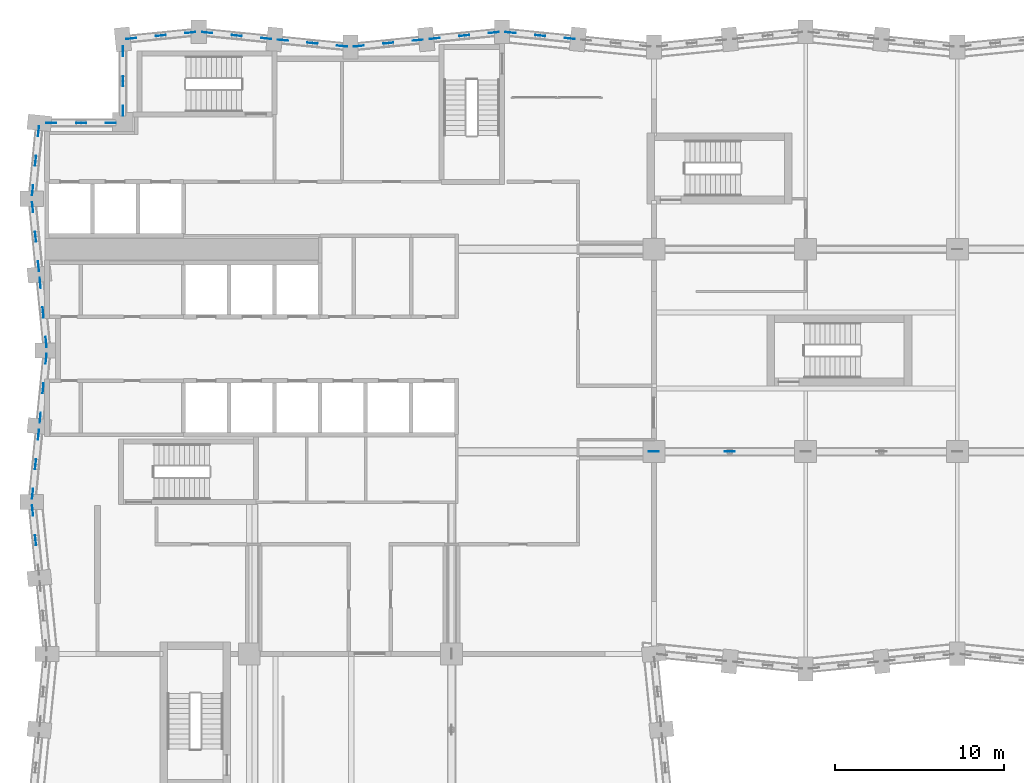
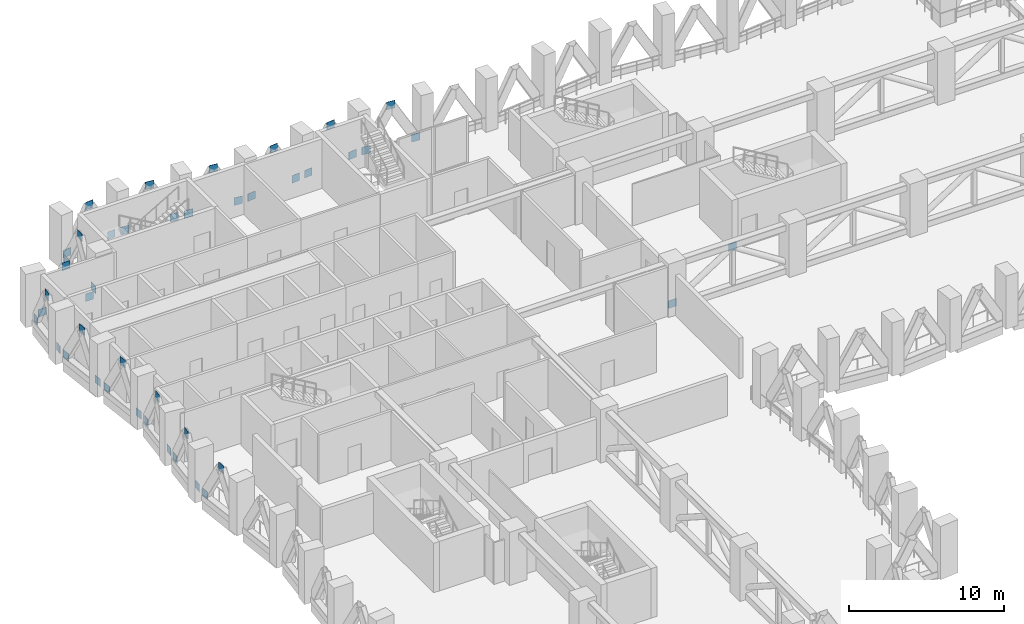
# One storey, part 20 of 25: 43 discrete accessories.
"""IFC4 building model written with IfcOpenShell, lengths in metres."""

from ifc_helpers import new_model, si_unit, direction, frame, origin, origin_2d, place, context, subcontext, project, spatial, rectangle, extrude, material, layer, layer_set, type_object, element, save


model = new_model("IFC4")

# Units and contexts
model_context = context("Model", 3, precision=1e-05, world=origin(), true_north=direction((0.0, 1.0)))
body_context = subcontext(model_context, "Body", "Model", "MODEL_VIEW")
ifc_project = project(units=[si_unit("LENGTHUNIT", "METRE"), si_unit("AREAUNIT", "SQUARE_METRE"), si_unit("VOLUMEUNIT", "CUBIC_METRE"), si_unit("PLANEANGLEUNIT", "RADIAN"), si_unit("MASSUNIT", "GRAM", prefix="KILO")], contexts=[model_context])

# Site, building, storey
site_placement = place(None, origin())
site = spatial("IfcSite", under=ifc_project, at=site_placement, CompositionType="ELEMENT")
building_placement = place(site_placement, origin())
building = spatial("IfcBuilding", under=site, at=building_placement, Name="Brondeck Convention Tower", CompositionType="ELEMENT")
storey_placement = place(building_placement, frame((0.0, 0.0, 84.300048828125)))
storey = spatial("IfcBuildingStorey", under=building, at=storey_placement, Name="L19", CompositionType="ELEMENT", Elevation=84.300048828125)

# Discrete accessories
ifc_material = material(Name="Steel S460", Category="steel")
ifc_layer = layer(ifc_material, 0.02490234375)
ifc_layer_set = layer_set([ifc_layer], Name="Gusset plate 600x600x25 Steel S460")
discrete_accessory_type = type_object("IfcDiscreteAccessoryType", Name="Gusset plate 600x600x25 Steel S460", PredefinedType="BRACKET", material=ifc_layer_set)
for number, where, z_axis, x_axis, name in (
    (1, (31.002197265625, 63.499755859375, 0.199951171875), (0.0, 0.0, 1.0), (-0.9950364836, 0.099510784867, 0.0), "Gusset plate GP-248"),
    (2, (29.25, 63.675048828125, 3.25), (0.0, 0.0, 1.0), (-0.9950364836, 0.099510784867, 0.0), "Gusset plate GP-249"),
    (3, (27.497802734375, 63.85009765625, 0.199951171875), (0.0, 0.0, 1.0), (-0.9950364836, 0.099510784867, 0.0), "Gusset plate GP-250"),
    (4, (26.502197265625, 63.85009765625, 0.199951171875), (0.0, 0.0, 1.0), (0.9950364836, 0.099510784867, 0.0), "Gusset plate GP-251"),
    (5, (24.75, 63.675048828125, 3.25), (0.0, 0.0, 1.0), (0.9950364836, 0.099510784867, 0.0), "Gusset plate GP-252"),
    (6, (22.997802734375, 63.499755859375, 0.199951171875), (0.0, 0.0, 1.0), (0.9950364836, 0.099510784867, 0.0), "Gusset plate GP-253"),
    (7, (22.002197265625, 63.400146484375, 0.199951171875), (0.0, 0.0, 1.0), (0.9950364836, 0.099510784867, 0.0), "Gusset plate GP-254"),
    (8, (20.25, 63.22509765625, 3.25), (0.0, 0.0, 1.0), (0.9950364836, 0.099510784867, 0.0), "Gusset plate GP-255"),
    (9, (18.497802734375, 63.0498046875, 0.199951171875), (0.0, 0.0, 1.0), (0.9950364836, 0.099510784867, 0.0), "Gusset plate GP-256"),
    (10, (17.502197265625, 63.0498046875, 0.199951171875), (0.0, 0.0, 1.0), (-0.9950364836, 0.099510784867, 0.0), "Gusset plate GP-257"),
    (11, (15.75, 63.22509765625, 3.25), (0.0, 0.0, 1.0), (-0.9950364836, 0.099510784867, 0.0), "Gusset plate GP-258"),
    (12, (13.997802734375, 63.400146484375, 0.199951171875), (0.0, 0.0, 1.0), (-0.9950364836, 0.099510784867, 0.0), "Gusset plate GP-259"),
    (13, (13.002197265625, 63.499755859375, 0.199951171875), (0.0, 0.0, 1.0), (-0.9950364836, 0.099510784867, 0.0), "Gusset plate GP-260"),
    (14, (11.25, 63.675048828125, 3.25), (0.0, 0.0, 1.0), (-0.9950364836, 0.099510784867, 0.0), "Gusset plate GP-261"),
    (15, (9.497802734375, 63.85009765625, 0.199951171875), (0.0, 0.0, 1.0), (-0.9950364836, 0.099510784867, 0.0), "Gusset plate GP-262"),
    (16, (8.502197265625, 63.85009765625, 0.199951171875), (0.0, 0.0, 1.0), (0.9950364836, 0.099510784867, 0.0), "Gusset plate GP-263"),
    (17, (6.75, 63.675048828125, 3.25), (0.0, 0.0, 1.0), (0.9950364836, 0.099510784867, 0.0), "Gusset plate GP-264"),
    (18, (4.997802734375, 63.499755859375, 0.199951171875), (0.0, 0.0, 1.0), (0.9950364836, 0.099510784867, 0.0), "Gusset plate GP-265"),
    (19, (4.5, 62.73583984375, 0.199951171875), (0.0, 0.0, 1.0), (0.0, 1.0, 0.0), "Gusset plate GP-266"),
    (20, (4.5, 60.97509765625, 3.25), (0.0, 0.0, 1.0), (0.0, 1.0, 0.0), "Gusset plate GP-267"),
    (21, (4.5, 59.214111328125, 0.199951171875), (0.0, 0.0, 1.0), (0.0, 1.0, 0.0), "Gusset plate GP-268"),
    (22, (3.785888671875, 58.5, 0.199951171875), (0.0, 0.0, 1.0), (1.0, 0.0, 0.0), "Gusset plate GP-269"),
    (23, (2.02490234375, 58.5, 3.25), (0.0, 0.0, 1.0), (1.0, 0.0, 0.0), "Gusset plate GP-270"),
    (24, (0.26416015625, 58.5, 0.199951171875), (0.0, 0.0, 1.0), (1.0, 0.0, 0.0), "Gusset plate GP-271"),
    (25, (-0.499755859375, 58.002197265625, 0.199951171875), (0.0, 0.0, 1.0), (0.099510784867, 0.9950364836, 0.0), "Gusset plate GP-272"),
    (26, (-0.675048828125, 56.25, 3.25), (0.0, 0.0, 1.0), (0.099510784867, 0.9950364836, 0.0), "Gusset plate GP-273"),
    (27, (-0.85009765625, 54.497802734375, 0.199951171875), (0.0, 0.0, 1.0), (0.099510784867, 0.9950364836, 0.0), "Gusset plate GP-274"),
    (28, (-0.85009765625, 53.502197265625, 0.199951171875), (0.0, 0.0, 1.0), (-0.099510784867, 0.9950364836, 0.0), "Gusset plate GP-275"),
    (29, (-0.675048828125, 51.75, 3.25), (0.0, 0.0, 1.0), (-0.099510784867, 0.9950364836, 0.0), "Gusset plate GP-276"),
    (30, (-0.499755859375, 49.997802734375, 0.199951171875), (0.0, 0.0, 1.0), (-0.099510784867, 0.9950364836, 0.0), "Gusset plate GP-277"),
    (31, (-0.400146484375, 49.002197265625, 0.199951171875), (0.0, 0.0, 1.0), (-0.099510784867, 0.9950364836, 0.0), "Gusset plate GP-278"),
    (32, (-0.22509765625, 47.25, 3.25), (0.0, 0.0, 1.0), (-0.099510784867, 0.9950364836, 0.0), "Gusset plate GP-279"),
    (33, (-0.0498046875, 45.497802734375, 0.199951171875), (0.0, 0.0, 1.0), (-0.099510784867, 0.9950364836, 0.0), "Gusset plate GP-280"),
    (34, (-0.0498046875, 44.502197265625, 0.199951171875), (0.0, 0.0, 1.0), (0.099510784867, 0.9950364836, 0.0), "Gusset plate GP-281"),
    (35, (-0.22509765625, 42.75, 3.25), (0.0, 0.0, 1.0), (0.099510784867, 0.9950364836, 0.0), "Gusset plate GP-282"),
    (36, (-0.400146484375, 40.997802734375, 0.199951171875), (0.0, 0.0, 1.0), (0.099510784867, 0.9950364836, 0.0), "Gusset plate GP-283"),
    (37, (-0.499755859375, 40.002197265625, 0.199951171875), (0.0, 0.0, 1.0), (0.099510784867, 0.9950364836, 0.0), "Gusset plate GP-284"),
    (38, (-0.675048828125, 38.25, 3.25), (0.0, 0.0, 1.0), (0.099510784867, 0.9950364836, 0.0), "Gusset plate GP-285"),
    (39, (-0.85009765625, 36.497802734375, 0.199951171875), (0.0, 0.0, 1.0), (0.099510784867, 0.9950364836, 0.0), "Gusset plate GP-286"),
    (40, (-0.85009765625, 35.502197265625, 0.199951171875), (0.0, 0.0, 1.0), (-0.099510784867, 0.9950364836, 0.0), "Gusset plate GP-287"),
    (41, (-0.675048828125, 33.75, 3.25), (0.0, 0.0, 1.0), (-0.099510784867, 0.9950364836, 0.0), "Gusset plate GP-288"),
    (42, (36.0, 39.0, 0.199951171875), (0.0, 0.0, 1.0), (1.0, 0.0, 0.0), "Gusset plate GP-314"),
    (43, (40.5, 39.0, 3.099853515625), (0.0, 0.0, 1.0), (1.0, 0.0, 0.0), "Gusset plate GP-315"),
):
    element("IfcDiscreteAccessory", number, at=place(storey_placement, frame(where, z_axis=z_axis, x_axis=x_axis)), inside=storey, type_object=discrete_accessory_type, Name=name, PredefinedType="BRACKET", context=body_context, shape_type="SweptSolid", body=[
        extrude(rectangle(XDim=0.60009765625, YDim=0.02490234375, at=origin_2d()), origin(), (0.0, 0.0, 1.0), 0.60009765625),
    ])

save(model, "model.ifc")
